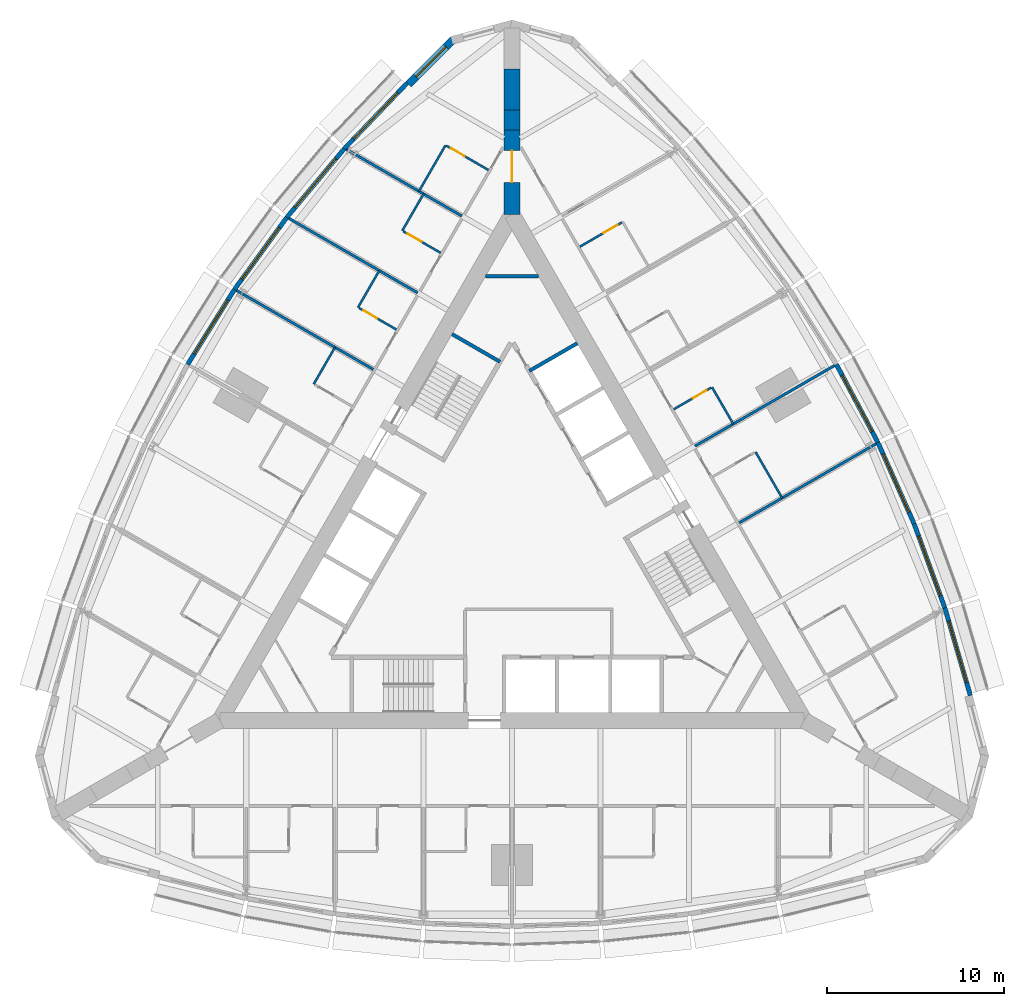
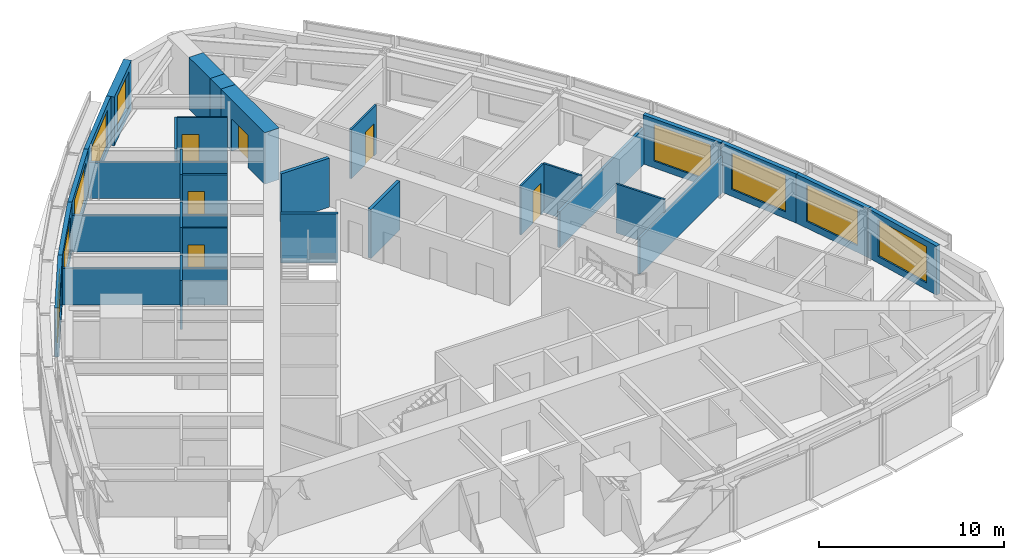
# One storey, part 12 of 14: 31 walls, 9 windows, 6 doors, 15 openings.
"""IFC4 building model written with IfcOpenShell, lengths in metres."""

from ifc_helpers import new_model, si_unit, direction, frame, frame_2d, origin, place, context, subcontext, project, spatial, rectangle, extrude, material, layer, layer_set, type_object, element, fill, save


model = new_model("IFC4")

# Units and contexts
model_context = context("Model", 3, precision=1e-05, world=origin(), true_north=direction((0.0, 1.0)))
body_context = subcontext(model_context, "Body", "Model", "MODEL_VIEW")
ifc_project = project(units=[si_unit("LENGTHUNIT", "METRE"), si_unit("AREAUNIT", "SQUARE_METRE"), si_unit("VOLUMEUNIT", "CUBIC_METRE"), si_unit("PLANEANGLEUNIT", "RADIAN"), si_unit("MASSUNIT", "GRAM", prefix="KILO")], contexts=[model_context])

# Site, building, storey
site_placement = place(None, origin())
site = spatial("IfcSite", under=ifc_project, at=site_placement, CompositionType="ELEMENT")
building_placement = place(site_placement, origin())
building = spatial("IfcBuilding", under=site, at=building_placement, Name="Trikona Tower", CompositionType="ELEMENT")
storey_placement = place(building_placement, frame((0.0, 0.0, 114.699951171875)))
storey = spatial("IfcBuildingStorey", under=building, at=storey_placement, Name="L29", CompositionType="ELEMENT", Elevation=114.699951171875)

# Walls
ifc_material_1 = material(Name="Metal stud and cement board", Category="gypsum")
ifc_layer_1 = layer(ifc_material_1, 0.1201171875)
ifc_layer_set_1 = layer_set([ifc_layer_1], Name="Bathroom wall 120")
wall_type_1 = type_object("IfcWallType", Name="Bathroom wall 120", PredefinedType="PLUMBINGWALL", material=ifc_layer_set_1)
wall_1_placement = place(storey_placement, frame((15.25341796875, 3.032958984375, 0.0), z_axis=(0.0, 0.0, 1.0), x_axis=(-0.499990139034, 0.866031096941, 0.0)))
element("IfcWall", 1, at=wall_1_placement, inside=storey, type_object=wall_type_1, Name="Bathroom wall 2909", PredefinedType="PLUMBINGWALL", context=body_context, shape_type="SweptSolid", body=[
    extrude(rectangle(XDim=3.0, YDim=0.1201171875, at=frame_2d((1.5, 0.0))), origin(), (0.0, 0.0, 1.0), 3.235107421875),
])
wall_2_placement = place(storey_placement, frame((12.493408203125, 7.213134765625, 0.0), z_axis=(0.0, 0.0, 1.0), x_axis=(-0.500001309137, 0.866024647952, 0.0)))
element("IfcWall", 2, at=wall_2_placement, inside=storey, type_object=wall_type_1, Name="Bathroom wall 2910", PredefinedType="PLUMBINGWALL", context=body_context, shape_type="SweptSolid", body=[
    extrude(rectangle(XDim=2.39990234375, YDim=0.1201171875, at=frame_2d((1.199951171875, 0.0))), origin(), (0.0, 0.0, 1.0), 3.235107421875),
])

# Wall, opening, door
wall_3_placement = place(storey_placement, frame((9.12841796875, 8.04150390625, 0.0), z_axis=(0.0, 0.0, 1.0), x_axis=(0.866005645448, 0.500034220881, 0.0)))
wall_3 = element("IfcWall", 3, at=wall_3_placement, inside=storey, type_object=wall_type_1, Name="Bathroom wall 2910", PredefinedType="PLUMBINGWALL", context=body_context, shape_type="SweptSolid", body=[
    extrude(rectangle(XDim=2.440185546875, YDim=0.1201171875, at=frame_2d((1.22021484375, 0.0))), origin(), (0.0, 0.0, 1.0), 3.235107421875),
])
opening_1_placement = place(wall_3_placement, frame((1.25, 0.0, 0.0)))
opening_1 = element("IfcOpeningElement", 4, at=opening_1_placement, cuts=wall_3, Name="Opening D2", PredefinedType="OPENING", context=body_context, shape_type="SweptSolid", body=[
    extrude(rectangle(XDim=0.89990234375, YDim=2.1298828125, at=frame_2d((0.449951171875, 1.06494140625))), frame((0.0, 0.070068359375, 0.0), z_axis=(0.0, -1.0, 0.0), x_axis=(1.0, 0.0, 0.0)), (0.0, 0.0, 1.0), 0.14013671875),
])
ifc_material_2 = material(Name="Steel door frame with solid-core timber leaf", Category="steel")
door_type_1 = type_object("IfcDoorType", Name="Bathroom door 900x2130", OperationType="SLIDING_TO_LEFT", PredefinedType="DOOR", material=ifc_material_2)
door_1_placement = place(opening_1_placement, origin())
door_1 = element("IfcDoor", 5, at=door_1_placement, inside=storey, type_object=door_type_1, Name="Bathroom door 2910", OperationType="SLIDING_TO_LEFT", OverallHeight=2.1298828125, OverallWidth=0.89990234375, PredefinedType="DOOR", context=body_context, shape_type="SweptSolid", body=[
    extrude(rectangle(XDim=0.89990234375, YDim=2.1298828125, at=frame_2d((0.449951171875, 1.06494140625))), frame((0.0, 0.02490234375, 0.0), z_axis=(0.0, -1.0, 0.0), x_axis=(1.0, 0.0, 0.0)), (0.0, 0.0, 1.0), 0.050048828125),
])
fill(opening_1, door_1)

wall_4_placement = place(storey_placement, frame((3.82861328125, 17.221435546875, 0.0), z_axis=(0.0, 0.0, 1.0), x_axis=(0.865997131366, 0.500048966069, 0.0)))
wall_4 = element("IfcWall", 6, at=wall_4_placement, inside=storey, type_object=wall_type_1, Name="Bathroom wall 2912.1", PredefinedType="PLUMBINGWALL", context=body_context, shape_type="SweptSolid", body=[
    extrude(rectangle(XDim=2.739990234375, YDim=0.1201171875, at=frame_2d((1.3701171875, 0.0))), origin(), (0.0, 0.0, 1.0), 3.235107421875),
])
opening_2_placement = place(wall_4_placement, frame((1.550048828125, 0.0, 0.0)))
opening_2 = element("IfcOpeningElement", 7, at=opening_2_placement, cuts=wall_4, Name="Opening D2", PredefinedType="OPENING", context=body_context, shape_type="SweptSolid", body=[
    extrude(rectangle(XDim=0.89990234375, YDim=2.1298828125, at=frame_2d((0.449951171875, 1.06494140625))), frame((0.0, 0.070068359375, 0.0), z_axis=(0.0, -1.0, 0.0), x_axis=(1.0, 0.0, 0.0)), (0.0, 0.0, 1.0), 0.14013671875),
])
door_2_placement = place(opening_2_placement, origin())
door_2 = element("IfcDoor", 8, at=door_2_placement, inside=storey, type_object=door_type_1, Name="Bathroom door 2912.1", OperationType="SLIDING_TO_LEFT", OverallHeight=2.1298828125, OverallWidth=0.89990234375, PredefinedType="DOOR", context=body_context, shape_type="SweptSolid", body=[
    extrude(rectangle(XDim=0.89990234375, YDim=2.1298828125, at=frame_2d((0.449951171875, 1.06494140625))), frame((0.0, 0.02490234375, 0.0), z_axis=(0.0, -1.0, 0.0), x_axis=(1.0, 0.0, 0.0)), (0.0, 0.0, 1.0), 0.050048828125),
])
fill(opening_2, door_2)

# Wall
wall_5_placement = place(storey_placement, frame((-3.75341796875, 22.95166015625, 0.0), z_axis=(0.0, 0.0, 1.0), x_axis=(-0.499990139034, -0.866031096941, 0.0)))
element("IfcWall", 9, at=wall_5_placement, inside=storey, type_object=wall_type_1, Name="Bathroom wall 2913", PredefinedType="PLUMBINGWALL", context=body_context, shape_type="SweptSolid", body=[
    extrude(rectangle(XDim=3.0, YDim=0.1201171875, at=frame_2d((1.5, 0.0))), origin(), (0.0, 0.0, 1.0), 3.235107421875),
])

# Wall, opening, door
wall_6_placement = place(storey_placement, frame((-1.32861328125, 21.551513671875, 0.0), z_axis=(0.0, 0.0, 1.0), x_axis=(-0.865997131366, 0.500048966069, 0.0)))
wall_6 = element("IfcWall", 10, at=wall_6_placement, inside=storey, type_object=wall_type_1, Name="Bathroom wall 2913", PredefinedType="PLUMBINGWALL", context=body_context, shape_type="SweptSolid", body=[
    extrude(rectangle(XDim=2.739990234375, YDim=0.1201171875, at=frame_2d((1.3701171875, 0.0))), origin(), (0.0, 0.0, 1.0), 3.235107421875),
])
opening_3_placement = place(wall_6_placement, frame((1.550048828125, 0.0, 0.0)))
opening_3 = element("IfcOpeningElement", 11, at=opening_3_placement, cuts=wall_6, Name="Opening D2", PredefinedType="OPENING", context=body_context, shape_type="SweptSolid", body=[
    extrude(rectangle(XDim=0.89990234375, YDim=2.1298828125, at=frame_2d((0.449951171875, 1.06494140625))), frame((0.0, 0.070068359375, 0.0), z_axis=(0.0, -1.0, 0.0), x_axis=(1.0, 0.0, 0.0)), (0.0, 0.0, 1.0), 0.14013671875),
])
door_3_placement = place(opening_3_placement, origin())
door_3 = element("IfcDoor", 12, at=door_3_placement, inside=storey, type_object=door_type_1, Name="Bathroom door 2913", OperationType="SLIDING_TO_LEFT", OverallHeight=2.1298828125, OverallWidth=0.89990234375, PredefinedType="DOOR", context=body_context, shape_type="SweptSolid", body=[
    extrude(rectangle(XDim=0.89990234375, YDim=2.1298828125, at=frame_2d((0.449951171875, 1.06494140625))), frame((0.0, 0.02490234375, 0.0), z_axis=(0.0, -1.0, 0.0), x_axis=(1.0, 0.0, 0.0)), (0.0, 0.0, 1.0), 0.050048828125),
])
fill(opening_3, door_3)

# Wall
wall_7_placement = place(storey_placement, frame((-4.993408203125, 20.20361328125, 0.0), z_axis=(0.0, 0.0, 1.0), x_axis=(-0.500033551112, -0.866006032174, 0.0)))
element("IfcWall", 13, at=wall_7_placement, inside=storey, type_object=wall_type_1, Name="Bathroom wall 2914", PredefinedType="PLUMBINGWALL", context=body_context, shape_type="SweptSolid", body=[
    extrude(rectangle(XDim=2.400146484375, YDim=0.1201171875, at=frame_2d((1.2001953125, 0.0))), origin(), (0.0, 0.0, 1.0), 3.235107421875),
])

# Wall, opening, door
wall_8_placement = place(storey_placement, frame((-4.028564453125, 16.875, 0.0), z_axis=(0.0, 0.0, 1.0), x_axis=(-0.865980627057, 0.500077547548, 0.0)))
wall_8 = element("IfcWall", 14, at=wall_8_placement, inside=storey, type_object=wall_type_1, Name="Bathroom wall 2914", PredefinedType="PLUMBINGWALL", context=body_context, shape_type="SweptSolid", body=[
    extrude(rectangle(XDim=2.43994140625, YDim=0.1201171875, at=frame_2d((1.219970703125, 0.0))), origin(), (0.0, 0.0, 1.0), 3.235107421875),
])
opening_4_placement = place(wall_8_placement, frame((1.25, 0.0, 0.0)))
opening_4 = element("IfcOpeningElement", 15, at=opening_4_placement, cuts=wall_8, Name="Opening D2", PredefinedType="OPENING", context=body_context, shape_type="SweptSolid", body=[
    extrude(rectangle(XDim=0.89990234375, YDim=2.1298828125, at=frame_2d((0.449951171875, 1.06494140625))), frame((0.0, 0.070068359375, 0.0), z_axis=(0.0, -1.0, 0.0), x_axis=(1.0, 0.0, 0.0)), (0.0, 0.0, 1.0), 0.14013671875),
])
door_4_placement = place(opening_4_placement, origin())
door_4 = element("IfcDoor", 16, at=door_4_placement, inside=storey, type_object=door_type_1, Name="Bathroom door 2914", OperationType="SLIDING_TO_LEFT", OverallHeight=2.1298828125, OverallWidth=0.89990234375, PredefinedType="DOOR", context=body_context, shape_type="SweptSolid", body=[
    extrude(rectangle(XDim=0.89990234375, YDim=2.1298828125, at=frame_2d((0.449951171875, 1.06494140625))), frame((0.0, 0.02490234375, 0.0), z_axis=(0.0, -1.0, 0.0), x_axis=(1.0, 0.0, 0.0)), (0.0, 0.0, 1.0), 0.050048828125),
])
fill(opening_4, door_4)

# Wall
wall_9_placement = place(storey_placement, frame((-7.493408203125, 15.873291015625, 0.0), z_axis=(0.0, 0.0, 1.0), x_axis=(-0.500077600433, -0.865980596518, 0.0)))
element("IfcWall", 17, at=wall_9_placement, inside=storey, type_object=wall_type_1, Name="Bathroom wall 2915", PredefinedType="PLUMBINGWALL", context=body_context, shape_type="SweptSolid", body=[
    extrude(rectangle(XDim=2.39990234375, YDim=0.1201171875, at=frame_2d((1.199951171875, 0.0))), origin(), (0.0, 0.0, 1.0), 3.235107421875),
])

# Wall, opening, door
wall_10_placement = place(storey_placement, frame((-6.528564453125, 12.544921875, 0.0), z_axis=(0.0, 0.0, 1.0), x_axis=(-0.866023955769, 0.500002508028, 0.0)))
wall_10 = element("IfcWall", 18, at=wall_10_placement, inside=storey, type_object=wall_type_1, Name="Bathroom wall 2915", PredefinedType="PLUMBINGWALL", context=body_context, shape_type="SweptSolid", body=[
    extrude(rectangle(XDim=2.43994140625, YDim=0.1201171875, at=frame_2d((1.219970703125, 0.0))), origin(), (0.0, 0.0, 1.0), 3.235107421875),
])
opening_5_placement = place(wall_10_placement, frame((1.25, 0.0, 0.0)))
opening_5 = element("IfcOpeningElement", 19, at=opening_5_placement, cuts=wall_10, Name="Opening D2", PredefinedType="OPENING", context=body_context, shape_type="SweptSolid", body=[
    extrude(rectangle(XDim=0.89990234375, YDim=2.1298828125, at=frame_2d((0.449951171875, 1.06494140625))), frame((0.0, 0.070068359375, 0.0), z_axis=(0.0, -1.0, 0.0), x_axis=(1.0, 0.0, 0.0)), (0.0, 0.0, 1.0), 0.14013671875),
])
door_5_placement = place(opening_5_placement, origin())
door_5 = element("IfcDoor", 20, at=door_5_placement, inside=storey, type_object=door_type_1, Name="Bathroom door 2915", OperationType="SLIDING_TO_LEFT", OverallHeight=2.1298828125, OverallWidth=0.89990234375, PredefinedType="DOOR", context=body_context, shape_type="SweptSolid", body=[
    extrude(rectangle(XDim=0.89990234375, YDim=2.1298828125, at=frame_2d((0.449951171875, 1.06494140625))), frame((0.0, 0.02490234375, 0.0), z_axis=(0.0, -1.0, 0.0), x_axis=(1.0, 0.0, 0.0)), (0.0, 0.0, 1.0), 0.050048828125),
])
fill(opening_5, door_5)

# Wall
wall_11_placement = place(storey_placement, frame((-9.993408203125, 11.543212890625, 0.0), z_axis=(0.0, 0.0, 1.0), x_axis=(-0.500077600433, -0.865980596518, 0.0)))
element("IfcWall", 21, at=wall_11_placement, inside=storey, type_object=wall_type_1, Name="Bathroom wall 2916", PredefinedType="PLUMBINGWALL", context=body_context, shape_type="SweptSolid", body=[
    extrude(rectangle(XDim=2.39990234375, YDim=0.1201171875, at=frame_2d((1.199951171875, 0.0))), origin(), (0.0, 0.0, 1.0), 3.235107421875),
])

# Wall, opening, window
ifc_material_3 = material(Name="Brick-faced precast concrete", Category="masonry")
ifc_layer_2 = layer(ifc_material_3, 0.449951171875)
ifc_layer_set_2 = layer_set([ifc_layer_2], Name="Brick-faced corner wall 450")
wall_type_2 = type_object("IfcWallType", Name="Brick-faced corner wall 450", PredefinedType="SOLIDWALL", material=ifc_layer_set_2)
wall_12_placement = place(storey_placement, frame((-3.304931640625, 28.934814453125, 0.0), z_axis=(0.0, 0.0, 1.0), x_axis=(-0.707106781187, -0.707106781187, 0.0)))
wall_12 = element("IfcWall", 22, at=wall_12_placement, inside=storey, type_object=wall_type_2, Name="External wall L29-23", PredefinedType="SOLIDWALL", context=body_context, shape_type="SweptSolid", body=[
    extrude(rectangle(XDim=3.586181640625, YDim=0.449951171875, at=frame_2d((1.79296875, 0.0))), origin(), (0.0, 0.0, 1.0), 3.235107421875),
])
opening_6_placement = place(wall_12_placement, frame((0.59326171875, 0.0, 0.449951171875)))
opening_6 = element("IfcOpeningElement", 23, at=opening_6_placement, cuts=wall_12, Name="Opening W2424", PredefinedType="OPENING", context=body_context, shape_type="SweptSolid", body=[
    extrude(rectangle(XDim=2.39990234375, YDim=2.39990234375, at=frame_2d((1.199951171875, 1.199951171875))), frame((0.0, 0.23486328125, 0.0), z_axis=(0.0, -1.0, 0.0), x_axis=(1.0, 0.0, 0.0)), (0.0, 0.0, 1.0), 0.469970703125),
])
ifc_material_4 = material(Name="Aluminium-framed double glazing", Category="aluminium")
window_type_1 = type_object("IfcWindowType", Name="Window 2400x2400", PartitioningType="SINGLE_PANEL", PredefinedType="WINDOW", material=ifc_material_4)
window_1_placement = place(opening_6_placement, origin())
window_1 = element("IfcWindow", 24, at=window_1_placement, inside=storey, type_object=window_type_1, Name="Window 2913", OverallHeight=2.39990234375, OverallWidth=2.39990234375, PartitioningType="SINGLE_PANEL", PredefinedType="WINDOW", context=body_context, shape_type="SweptSolid", body=[
    extrude(rectangle(XDim=2.39990234375, YDim=2.39990234375, at=frame_2d((1.199951171875, 1.199951171875))), frame((0.0, 0.030029296875, 0.0), z_axis=(0.0, -1.0, 0.0), x_axis=(1.0, 0.0, 0.0)), (0.0, 0.0, 1.0), 0.06005859375),
])
fill(opening_6, window_1)

# Wall, opening, door
ifc_material_5 = material(Name="Concrete f'c 10000 psi", Category="concrete")
ifc_layer_3 = layer(ifc_material_5, 0.89990234375)
ifc_layer_set_3 = layer_set([ifc_layer_3], Name="Buttress wall 900")
wall_type_3 = type_object("IfcWallType", Name="Buttress wall 900", PredefinedType="SHEAR", material=ifc_layer_set_3)
wall_13_placement = place(storey_placement, frame((0.0, 19.052490234375, 0.0), z_axis=(0.0, 0.0, 1.0), x_axis=(0.0, 1.0, 0.0)))
wall_13 = element("IfcWall", 25, at=wall_13_placement, inside=storey, type_object=wall_type_3, Name="Buttress wall 2", PredefinedType="SHEAR", context=body_context, shape_type="SweptSolid", body=[
    extrude(rectangle(XDim=4.74609375, YDim=0.89990234375, at=frame_2d((2.373046875, 0.0))), origin(), (0.0, 0.0, 1.0), 3.400146484375),
])
opening_7_placement = place(wall_13_placement, frame((1.800048828125, 0.0, 0.0)))
opening_7 = element("IfcOpeningElement", 26, at=opening_7_placement, cuts=wall_13, Name="Opening D10", PredefinedType="OPENING", context=body_context, shape_type="SweptSolid", body=[
    extrude(rectangle(XDim=1.800048828125, YDim=2.1298828125, at=frame_2d((0.89990234375, 1.06494140625))), frame((0.0, 0.4599609375, 0.0), z_axis=(0.0, -1.0, 0.0), x_axis=(1.0, 0.0, 0.0)), (0.0, 0.0, 1.0), 0.919921875),
])
ifc_material_6 = material(Name="Hollow metal door and frame", Category="steel")
door_type_2 = type_object("IfcDoorType", Name="Cross-corridor door pair 1800x2130", OperationType="DOUBLE_DOOR_DOUBLE_SWING", PredefinedType="DOOR", material=ifc_material_6)
door_6_placement = place(opening_7_placement, origin())
door_6 = element("IfcDoor", 27, at=door_6_placement, inside=storey, type_object=door_type_2, Name="Cross-corridor door 2", OperationType="DOUBLE_DOOR_DOUBLE_SWING", OverallHeight=2.1298828125, OverallWidth=1.800048828125, PredefinedType="DOOR", context=body_context, shape_type="SweptSolid", body=[
    extrude(rectangle(XDim=1.800048828125, YDim=2.1298828125, at=frame_2d((0.89990234375, 1.06494140625))), frame((0.0, 0.02490234375, 0.0), z_axis=(0.0, -1.0, 0.0), x_axis=(1.0, 0.0, 0.0)), (0.0, 0.0, 1.0), 0.050048828125),
])
fill(opening_7, door_6)

# Walls
wall_14_placement = place(storey_placement, frame((0.0, 23.798583984375, 0.0), z_axis=(0.0, 0.0, 1.0), x_axis=(0.0, 1.0, 0.0)))
element("IfcWall", 28, at=wall_14_placement, inside=storey, type_object=wall_type_3, Name="Buttress wall 2 part 2", PredefinedType="SHEAR", context=body_context, shape_type="SweptSolid", body=[
    extrude(rectangle(XDim=1.15478515625, YDim=0.89990234375, at=frame_2d((0.577392578125, 0.0))), origin(), (0.0, 0.0, 1.0), 3.400146484375),
])
wall_15_placement = place(storey_placement, frame((0.0, 24.953369140625, 0.0), z_axis=(0.0, 0.0, 1.0), x_axis=(0.0, 1.0, 0.0)))
element("IfcWall", 29, at=wall_15_placement, inside=storey, type_object=wall_type_3, Name="Buttress wall 2 part 3", PredefinedType="SHEAR", context=body_context, shape_type="SweptSolid", body=[
    extrude(rectangle(XDim=2.309326171875, YDim=0.89990234375, at=frame_2d((1.15478515625, 0.0))), origin(), (0.0, 0.0, 1.0), 3.400146484375),
])

# Wall, opening, window
ifc_material_7 = material(Name="Insulated precast concrete spandrel panel", Category="concrete")
ifc_layer_4 = layer(ifc_material_7, 0.25)
ifc_layer_set_4 = layer_set([ifc_layer_4], Name="Inner skin wall 250")
wall_type_4 = type_object("IfcWallType", Name="Inner skin wall 250", PredefinedType="STANDARD", material=ifc_layer_set_4)
wall_16_placement = place(storey_placement, frame((25.8798828125, -8.117919921875, 0.0), z_axis=(0.0, 0.0, 1.0), x_axis=(-0.279528287117, 0.960137457191, 0.0)))
wall_16 = element("IfcWall", 30, at=wall_16_placement, inside=storey, type_object=wall_type_4, Name="External wall L29-12", PredefinedType="STANDARD", context=body_context, shape_type="SweptSolid", body=[
    extrude(rectangle(XDim=5.14794921875, YDim=0.25, at=frame_2d((2.573974609375, 0.0))), origin(), (0.0, 0.0, 1.0), 3.235107421875),
])
opening_8_placement = place(wall_16_placement, frame((0.77392578125, 0.0, 0.449951171875)))
opening_8 = element("IfcOpeningElement", 31, at=opening_8_placement, cuts=wall_16, Name="Opening W3624", PredefinedType="OPENING", context=body_context, shape_type="SweptSolid", body=[
    extrude(rectangle(XDim=3.60009765625, YDim=2.39990234375, at=frame_2d((1.800048828125, 1.199951171875))), frame((0.0, 0.135009765625, 0.0), z_axis=(0.0, -1.0, 0.0), x_axis=(1.0, 0.0, 0.0)), (0.0, 0.0, 1.0), 0.27001953125),
])
ifc_material_8 = material(Name="Aluminium-framed double glazing", Category="aluminium")
window_type_2 = type_object("IfcWindowType", Name="Window 3600x2400", PartitioningType="SINGLE_PANEL", PredefinedType="WINDOW", material=ifc_material_8)
window_2_placement = place(opening_8_placement, origin())
window_2 = element("IfcWindow", 32, at=window_2_placement, inside=storey, type_object=window_type_2, Name="Window 2907", OverallHeight=2.39990234375, OverallWidth=3.60009765625, PartitioningType="SINGLE_PANEL", PredefinedType="WINDOW", context=body_context, shape_type="SweptSolid", body=[
    extrude(rectangle(XDim=3.60009765625, YDim=2.39990234375, at=frame_2d((1.800048828125, 1.199951171875))), frame((0.0, 0.030029296875, 0.0), z_axis=(0.0, -1.0, 0.0), x_axis=(1.0, 0.0, 0.0)), (0.0, 0.0, 1.0), 0.06005859375),
])
fill(opening_8, window_2)

wall_17_placement = place(storey_placement, frame((24.443603515625, -3.18310546875, 0.0), z_axis=(0.0, 0.0, 1.0), x_axis=(-0.343225593282, 0.939252996863, 0.0)))
wall_17 = element("IfcWall", 33, at=wall_17_placement, inside=storey, type_object=wall_type_4, Name="External wall L29-13", PredefinedType="STANDARD", context=body_context, shape_type="SweptSolid", body=[
    extrude(rectangle(XDim=5.075927734375, YDim=0.25, at=frame_2d((2.5380859375, 0.0))), origin(), (0.0, 0.0, 1.0), 3.235107421875),
])
opening_9_placement = place(wall_17_placement, frame((0.738037109375, 0.0, 0.449951171875)))
opening_9 = element("IfcOpeningElement", 34, at=opening_9_placement, cuts=wall_17, Name="Opening W3624", PredefinedType="OPENING", context=body_context, shape_type="SweptSolid", body=[
    extrude(rectangle(XDim=3.60009765625, YDim=2.39990234375, at=frame_2d((1.800048828125, 1.199951171875))), frame((0.0, 0.135009765625, 0.0), z_axis=(0.0, -1.0, 0.0), x_axis=(1.0, 0.0, 0.0)), (0.0, 0.0, 1.0), 0.27001953125),
])
window_3_placement = place(opening_9_placement, origin())
window_3 = element("IfcWindow", 35, at=window_3_placement, inside=storey, type_object=window_type_2, Name="Window 2908", OverallHeight=2.39990234375, OverallWidth=3.60009765625, PartitioningType="SINGLE_PANEL", PredefinedType="WINDOW", context=body_context, shape_type="SweptSolid", body=[
    extrude(rectangle(XDim=3.60009765625, YDim=2.39990234375, at=frame_2d((1.800048828125, 1.199951171875))), frame((0.0, 0.030029296875, 0.0), z_axis=(0.0, -1.0, 0.0), x_axis=(1.0, 0.0, 0.0)), (0.0, 0.0, 1.0), 0.06005859375),
])
fill(opening_9, window_3)

wall_18_placement = place(storey_placement, frame((22.70458984375, 1.576416015625, 0.0), z_axis=(0.0, 0.0, 1.0), x_axis=(-0.406832200364, 0.913502906808, 0.0)))
wall_18 = element("IfcWall", 36, at=wall_18_placement, inside=storey, type_object=wall_type_4, Name="External wall L29-14", PredefinedType="STANDARD", context=body_context, shape_type="SweptSolid", body=[
    extrude(rectangle(XDim=5.027587890625, YDim=0.25, at=frame_2d((2.513671875, 0.0))), origin(), (0.0, 0.0, 1.0), 3.235107421875),
])
opening_10_placement = place(wall_18_placement, frame((0.713623046875, 0.0, 0.449951171875)))
opening_10 = element("IfcOpeningElement", 37, at=opening_10_placement, cuts=wall_18, Name="Opening W3624", PredefinedType="OPENING", context=body_context, shape_type="SweptSolid", body=[
    extrude(rectangle(XDim=3.60009765625, YDim=2.39990234375, at=frame_2d((1.800048828125, 1.199951171875))), frame((0.0, 0.135009765625, 0.0), z_axis=(0.0, -1.0, 0.0), x_axis=(1.0, 0.0, 0.0)), (0.0, 0.0, 1.0), 0.27001953125),
])
window_4_placement = place(opening_10_placement, origin())
window_4 = element("IfcWindow", 38, at=window_4_placement, inside=storey, type_object=window_type_2, Name="Window 2908", OverallHeight=2.39990234375, OverallWidth=3.60009765625, PartitioningType="SINGLE_PANEL", PredefinedType="WINDOW", context=body_context, shape_type="SweptSolid", body=[
    extrude(rectangle(XDim=3.60009765625, YDim=2.39990234375, at=frame_2d((1.800048828125, 1.199951171875))), frame((0.0, 0.030029296875, 0.0), z_axis=(0.0, -1.0, 0.0), x_axis=(1.0, 0.0, 0.0)), (0.0, 0.0, 1.0), 0.06005859375),
])
fill(opening_10, window_4)

wall_19_placement = place(storey_placement, frame((20.662841796875, 6.161376953125, 0.0), z_axis=(0.0, 0.0, 1.0), x_axis=(-0.469404966864, 0.882982999317, 0.0)))
wall_19 = element("IfcWall", 39, at=wall_19_placement, inside=storey, type_object=wall_type_4, Name="External wall L29-15", PredefinedType="STANDARD", context=body_context, shape_type="SweptSolid", body=[
    extrude(rectangle(XDim=5.0029296875, YDim=0.25, at=frame_2d((2.50146484375, 0.0))), origin(), (0.0, 0.0, 1.0), 3.235107421875),
])
opening_11_placement = place(wall_19_placement, frame((0.701416015625, 0.0, 0.449951171875)))
opening_11 = element("IfcOpeningElement", 40, at=opening_11_placement, cuts=wall_19, Name="Opening W3624", PredefinedType="OPENING", context=body_context, shape_type="SweptSolid", body=[
    extrude(rectangle(XDim=3.60009765625, YDim=2.39990234375, at=frame_2d((1.800048828125, 1.199951171875))), frame((0.0, 0.135009765625, 0.0), z_axis=(0.0, -1.0, 0.0), x_axis=(1.0, 0.0, 0.0)), (0.0, 0.0, 1.0), 0.27001953125),
])
window_5_placement = place(opening_11_placement, origin())
window_5 = element("IfcWindow", 41, at=window_5_placement, inside=storey, type_object=window_type_2, Name="Window 2909", OverallHeight=2.39990234375, OverallWidth=3.60009765625, PartitioningType="SINGLE_PANEL", PredefinedType="WINDOW", context=body_context, shape_type="SweptSolid", body=[
    extrude(rectangle(XDim=3.60009765625, YDim=2.39990234375, at=frame_2d((1.800048828125, 1.199951171875))), frame((0.0, 0.030029296875, 0.0), z_axis=(0.0, -1.0, 0.0), x_axis=(1.0, 0.0, 0.0)), (0.0, 0.0, 1.0), 0.06005859375),
])
fill(opening_11, window_5)

wall_20_placement = place(storey_placement, frame((-5.90966796875, 26.4716796875, 0.0), z_axis=(0.0, 0.0, 1.0), x_axis=(-0.691719937936, -0.722165858693, 0.0)))
wall_20 = element("IfcWall", 42, at=wall_20_placement, inside=storey, type_object=wall_type_4, Name="External wall L29-24", PredefinedType="STANDARD", context=body_context, shape_type="SweptSolid", body=[
    extrude(rectangle(XDim=5.148193359375, YDim=0.25, at=frame_2d((2.57421875, 0.0))), origin(), (0.0, 0.0, 1.0), 3.235107421875),
])
opening_12_placement = place(wall_20_placement, frame((0.77392578125, 0.0, 0.449951171875)))
opening_12 = element("IfcOpeningElement", 43, at=opening_12_placement, cuts=wall_20, Name="Opening W3624", PredefinedType="OPENING", context=body_context, shape_type="SweptSolid", body=[
    extrude(rectangle(XDim=3.60009765625, YDim=2.39990234375, at=frame_2d((1.800048828125, 1.199951171875))), frame((0.0, 0.135009765625, 0.0), z_axis=(0.0, -1.0, 0.0), x_axis=(1.0, 0.0, 0.0)), (0.0, 0.0, 1.0), 0.27001953125),
])
window_6_placement = place(opening_12_placement, origin())
window_6 = element("IfcWindow", 44, at=window_6_placement, inside=storey, type_object=window_type_2, Name="Window 2913", OverallHeight=2.39990234375, OverallWidth=3.60009765625, PartitioningType="SINGLE_PANEL", PredefinedType="WINDOW", context=body_context, shape_type="SweptSolid", body=[
    extrude(rectangle(XDim=3.60009765625, YDim=2.39990234375, at=frame_2d((1.800048828125, 1.199951171875))), frame((0.0, 0.030029296875, 0.0), z_axis=(0.0, -1.0, 0.0), x_axis=(1.0, 0.0, 0.0)), (0.0, 0.0, 1.0), 0.06005859375),
])
fill(opening_12, window_6)

wall_21_placement = place(storey_placement, frame((-9.465087890625, 22.76025390625, 0.0), z_axis=(0.0, 0.0, 1.0), x_axis=(-0.641810386606, -0.766863369607, 0.0)))
wall_21 = element("IfcWall", 45, at=wall_21_placement, inside=storey, type_object=wall_type_4, Name="External wall L29-25", PredefinedType="STANDARD", context=body_context, shape_type="SweptSolid", body=[
    extrude(rectangle(XDim=5.075927734375, YDim=0.25, at=frame_2d((2.5380859375, 0.0))), origin(), (0.0, 0.0, 1.0), 3.235107421875),
])
opening_13_placement = place(wall_21_placement, frame((0.738037109375, 0.0, 0.449951171875)))
opening_13 = element("IfcOpeningElement", 46, at=opening_13_placement, cuts=wall_21, Name="Opening W3624", PredefinedType="OPENING", context=body_context, shape_type="SweptSolid", body=[
    extrude(rectangle(XDim=3.60009765625, YDim=2.39990234375, at=frame_2d((1.800048828125, 1.199951171875))), frame((0.0, 0.135009765625, 0.0), z_axis=(0.0, -1.0, 0.0), x_axis=(1.0, 0.0, 0.0)), (0.0, 0.0, 1.0), 0.27001953125),
])
window_7_placement = place(opening_13_placement, origin())
window_7 = element("IfcWindow", 47, at=window_7_placement, inside=storey, type_object=window_type_2, Name="Window 2914", OverallHeight=2.39990234375, OverallWidth=3.60009765625, PartitioningType="SINGLE_PANEL", PredefinedType="WINDOW", context=body_context, shape_type="SweptSolid", body=[
    extrude(rectangle(XDim=3.60009765625, YDim=2.39990234375, at=frame_2d((1.800048828125, 1.199951171875))), frame((0.0, 0.030029296875, 0.0), z_axis=(0.0, -1.0, 0.0), x_axis=(1.0, 0.0, 0.0)), (0.0, 0.0, 1.0), 0.06005859375),
])
fill(opening_13, window_7)

wall_22_placement = place(storey_placement, frame((-12.717529296875, 18.87451171875, 0.0), z_axis=(0.0, 0.0, 1.0), x_axis=(-0.587669188412, -0.809101307001, 0.0)))
wall_22 = element("IfcWall", 48, at=wall_22_placement, inside=storey, type_object=wall_type_4, Name="External wall L29-26", PredefinedType="STANDARD", context=body_context, shape_type="SweptSolid", body=[
    extrude(rectangle(XDim=5.027587890625, YDim=0.25, at=frame_2d((2.513671875, 0.0))), origin(), (0.0, 0.0, 1.0), 3.235107421875),
])
opening_14_placement = place(wall_22_placement, frame((0.7138671875, 0.0, 0.449951171875)))
opening_14 = element("IfcOpeningElement", 49, at=opening_14_placement, cuts=wall_22, Name="Opening W3624", PredefinedType="OPENING", context=body_context, shape_type="SweptSolid", body=[
    extrude(rectangle(XDim=3.60009765625, YDim=2.39990234375, at=frame_2d((1.800048828125, 1.199951171875))), frame((0.0, 0.135009765625, 0.0), z_axis=(0.0, -1.0, 0.0), x_axis=(1.0, 0.0, 0.0)), (0.0, 0.0, 1.0), 0.27001953125),
])
window_8_placement = place(opening_14_placement, origin())
window_8 = element("IfcWindow", 50, at=window_8_placement, inside=storey, type_object=window_type_2, Name="Window 2915", OverallHeight=2.39990234375, OverallWidth=3.60009765625, PartitioningType="SINGLE_PANEL", PredefinedType="WINDOW", context=body_context, shape_type="SweptSolid", body=[
    extrude(rectangle(XDim=3.60009765625, YDim=2.39990234375, at=frame_2d((1.800048828125, 1.199951171875))), frame((0.0, 0.030029296875, 0.0), z_axis=(0.0, -1.0, 0.0), x_axis=(1.0, 0.0, 0.0)), (0.0, 0.0, 1.0), 0.06005859375),
])
fill(opening_14, window_8)

wall_23_placement = place(storey_placement, frame((-15.667236328125, 14.81396484375, 0.0), z_axis=(0.0, 0.0, 1.0), x_axis=(-0.529990167382, -0.84800378683, 0.0)))
wall_23 = element("IfcWall", 51, at=wall_23_placement, inside=storey, type_object=wall_type_4, Name="External wall L29-27", PredefinedType="STANDARD", context=body_context, shape_type="SweptSolid", body=[
    extrude(rectangle(XDim=5.003173828125, YDim=0.25, at=frame_2d((2.50146484375, 0.0))), origin(), (0.0, 0.0, 1.0), 3.235107421875),
])
opening_15_placement = place(wall_23_placement, frame((0.701416015625, 0.0, 0.449951171875)))
opening_15 = element("IfcOpeningElement", 52, at=opening_15_placement, cuts=wall_23, Name="Opening W3624", PredefinedType="OPENING", context=body_context, shape_type="SweptSolid", body=[
    extrude(rectangle(XDim=3.60009765625, YDim=2.39990234375, at=frame_2d((1.800048828125, 1.199951171875))), frame((0.0, 0.135009765625, 0.0), z_axis=(0.0, -1.0, 0.0), x_axis=(1.0, 0.0, 0.0)), (0.0, 0.0, 1.0), 0.27001953125),
])
window_9_placement = place(opening_15_placement, origin())
window_9 = element("IfcWindow", 53, at=window_9_placement, inside=storey, type_object=window_type_2, Name="Window 2916", OverallHeight=2.39990234375, OverallWidth=3.60009765625, PartitioningType="SINGLE_PANEL", PredefinedType="WINDOW", context=body_context, shape_type="SweptSolid", body=[
    extrude(rectangle(XDim=3.60009765625, YDim=2.39990234375, at=frame_2d((1.800048828125, 1.199951171875))), frame((0.0, 0.030029296875, 0.0), z_axis=(0.0, -1.0, 0.0), x_axis=(1.0, 0.0, 0.0)), (0.0, 0.0, 1.0), 0.06005859375),
])
fill(opening_15, window_9)

# Walls
ifc_material_9 = material(Name="Metal stud and gypsum board, 1-hour acoustic", Category="gypsum")
ifc_layer_5 = layer(ifc_material_9, 0.14990234375)
ifc_layer_set_5 = layer_set([ifc_layer_5], Name="Party wall 150")
wall_type_5 = type_object("IfcWallType", Name="Party wall 150", PredefinedType="PARTITIONING", material=ifc_layer_set_5)
wall_24_placement = place(storey_placement, frame((12.82861328125, 1.633056640625, 0.0), z_axis=(0.0, 0.0, 1.0), x_axis=(0.866027015393, 0.499997208602, 0.0)))
element("IfcWall", 54, at=wall_24_placement, inside=storey, type_object=wall_type_5, Name="Partition L29 F2 u-5", PredefinedType="PARTITIONING", context=body_context, shape_type="SweptSolid", body=[
    extrude(rectangle(XDim=8.92236328125, YDim=0.14990234375, at=frame_2d((4.461181640625, 0.0))), origin(), (0.0, 0.0, 1.0), 2.38916015625),
])
wall_25_placement = place(storey_placement, frame((10.32861328125, 5.963134765625, 0.0), z_axis=(0.0, 0.0, 1.0), x_axis=(0.866025170687, 0.500000403736, 0.0)))
element("IfcWall", 55, at=wall_25_placement, inside=storey, type_object=wall_type_5, Name="Partition L29 F2 u-4.44089e-15", PredefinedType="PARTITIONING", context=body_context, shape_type="SweptSolid", body=[
    extrude(rectangle(XDim=9.0986328125, YDim=0.14990234375, at=frame_2d((4.54931640625, 0.0))), origin(), (0.0, 0.0, 1.0), 2.38916015625),
])
wall_26_placement = place(storey_placement, frame((-2.82861328125, 18.95361328125, 0.0), z_axis=(0.0, 0.0, 1.0), x_axis=(-0.866015739374, 0.500016738876, 0.0)))
element("IfcWall", 56, at=wall_26_placement, inside=storey, type_object=wall_type_5, Name="Partition L29 F3 u-15", PredefinedType="PARTITIONING", context=body_context, shape_type="SweptSolid", body=[
    extrude(rectangle(XDim=7.516357421875, YDim=0.14990234375, at=frame_2d((3.75830078125, 0.0))), origin(), (0.0, 0.0, 1.0), 2.38916015625),
])
wall_27_placement = place(storey_placement, frame((-5.32861328125, 14.623291015625, 0.0), z_axis=(0.0, 0.0, 1.0), x_axis=(-0.866011723728, 0.500023693804, 0.0)))
element("IfcWall", 57, at=wall_27_placement, inside=storey, type_object=wall_type_5, Name="Partition L29 F3 u-10", PredefinedType="PARTITIONING", context=body_context, shape_type="SweptSolid", body=[
    extrude(rectangle(XDim=8.39501953125, YDim=0.14990234375, at=frame_2d((4.197509765625, 0.0))), origin(), (0.0, 0.0, 1.0), 2.38916015625),
])
wall_28_placement = place(storey_placement, frame((-7.82861328125, 10.293212890625, 0.0), z_axis=(0.0, 0.0, 1.0), x_axis=(-0.866027015393, 0.499997208602, 0.0)))
element("IfcWall", 58, at=wall_28_placement, inside=storey, type_object=wall_type_5, Name="Partition L29 F3 u-5", PredefinedType="PARTITIONING", context=body_context, shape_type="SweptSolid", body=[
    extrude(rectangle(XDim=8.92236328125, YDim=0.14990234375, at=frame_2d((4.461181640625, 0.0))), origin(), (0.0, 0.0, 1.0), 2.38916015625),
])
ifc_material_10 = material(Name="Concrete f'c 8000 psi", Category="concrete")
ifc_layer_6 = layer(ifc_material_10, 0.199951171875)
ifc_layer_set_6 = layer_set([ifc_layer_6], Name="Shaft wall 200")
wall_type_6 = type_object("IfcWallType", Name="Shaft wall 200", PredefinedType="SOLIDWALL", material=ifc_layer_set_6)
wall_29_placement = place(storey_placement, frame((0.97900390625, 10.20703125, 0.0), z_axis=(0.0, 0.0, 1.0), x_axis=(0.866022959057, 0.500004234368, 0.0)))
element("IfcWall", 59, at=wall_29_placement, inside=storey, type_object=wall_type_6, Name="Shaft wall B6", PredefinedType="SOLIDWALL", context=body_context, shape_type="SweptSolid", body=[
    extrude(rectangle(XDim=3.125, YDim=0.199951171875, at=frame_2d((1.5625, 0.0))), origin(), (0.0, 0.0, 1.0), 3.235107421875),
])
wall_30_placement = place(storey_placement, frame((-1.501220703125, 15.552490234375, 0.0), z_axis=(0.0, 0.0, 1.0), x_axis=(1.0, 0.0, 0.0)))
element("IfcWall", 60, at=wall_30_placement, inside=storey, type_object=wall_type_6, Name="Riser wall L29-RS2", PredefinedType="SOLIDWALL", context=body_context, shape_type="SweptSolid", body=[
    extrude(rectangle(XDim=3.00244140625, YDim=0.199951171875, at=frame_2d((1.501220703125, 0.0))), origin(), (0.0, 0.0, 1.0), 3.235107421875),
])
ifc_material_11 = material(Name="Concrete f'c 8000 psi", Category="concrete")
ifc_layer_7 = layer(ifc_material_11, 0.199951171875)
ifc_layer_set_7 = layer_set([ifc_layer_7], Name="Shaft wall 200 load-bearing")
wall_type_7 = type_object("IfcWallType", Name="Shaft wall 200 load-bearing", PredefinedType="SOLIDWALL", material=ifc_layer_set_7)
wall_31_placement = place(storey_placement, frame((-0.678955078125, 10.7265625, 0.0), z_axis=(0.0, 0.0, 1.0), x_axis=(-0.866022959057, 0.500004234368, 0.0)))
element("IfcWall", 61, at=wall_31_placement, inside=storey, type_object=wall_type_7, Name="Shaft wall C1", PredefinedType="SOLIDWALL", context=body_context, shape_type="SweptSolid", body=[
    extrude(rectangle(XDim=3.125, YDim=0.199951171875, at=frame_2d((1.5625, 0.0))), origin(), (0.0, 0.0, 1.0), 3.235107421875),
])

save(model, "model.ifc")
